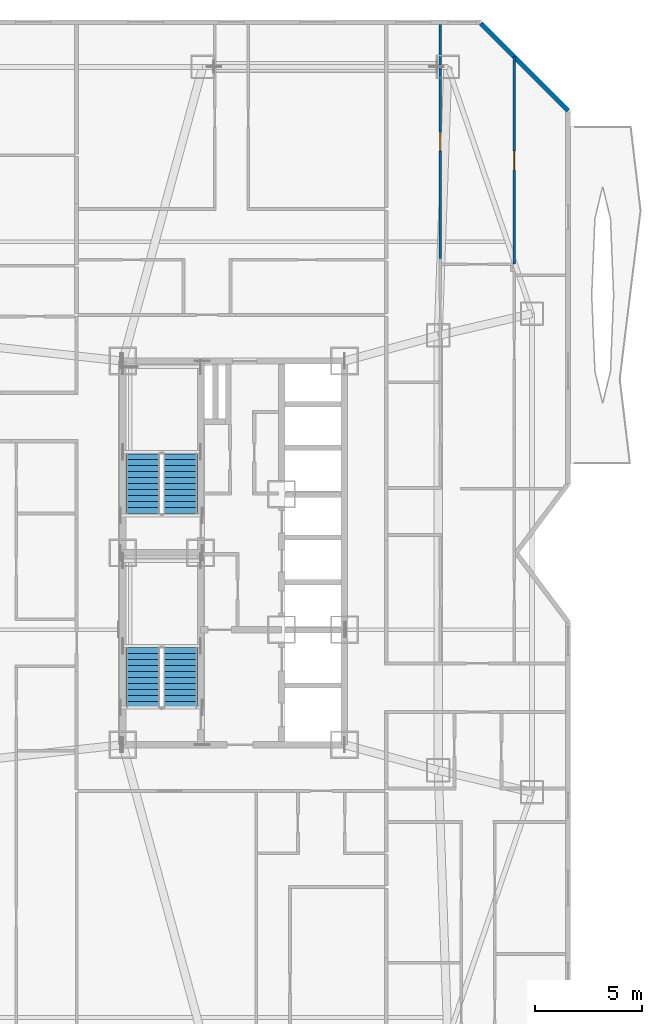
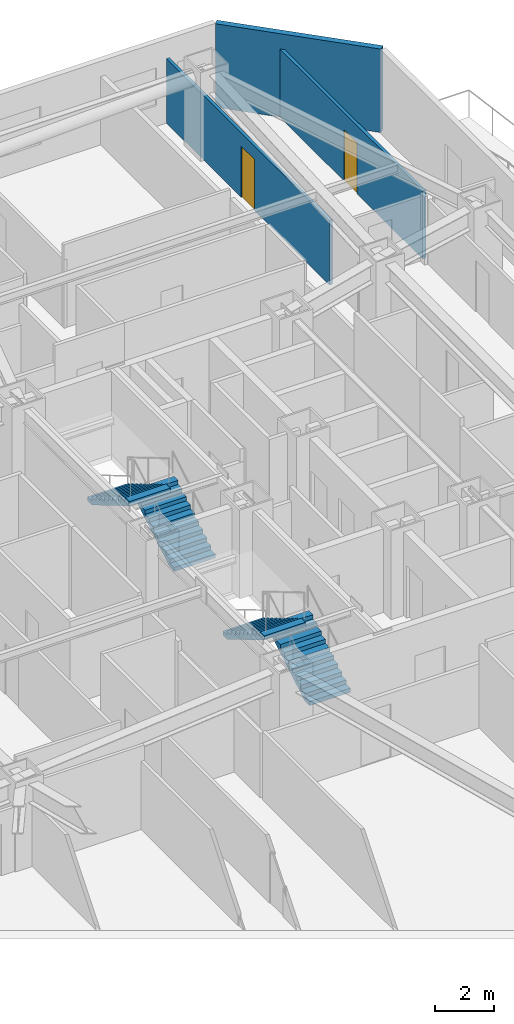
# One storey, part 14 of 16: 4 stair flights, 3 walls, 2 doors, 2 openings, 2 elements without a shape of their own.
"""IFC4 building model written with IfcOpenShell, lengths in metres."""

import ifcopenshell
import ifcopenshell.guid

model = None  # the IFC model being written
_history = None  # IfcOwnerHistory: only IFC2X3 demands one
_inside = {}  # id of a spatial element -> (the spatial element, [elements in it])
_under = {}  # id of a project, library or spatial element -> (it, [spatial elements below it])
_declared = {}  # id of a project -> (the project, [libraries it declares])
_typed = {}  # id of a type object -> (the type object, [elements of that type])
_made_of = {}  # id of a material, layer set ... -> (it, [elements and type objects made of it])


def new_model(schema):
    """Start an empty IFC model of exactly this schema.

    Asked for "IFC4X3", IfcOpenShell would pick the latest addendum, in which some entities
    have other attributes; the version numbers below select the first issue.
    IFC2X3 requires an IfcOwnerHistory on every rooted entity: one is made here for all.
    """
    global model, _history
    if schema == "IFC4X3":
        model = ifcopenshell.file(schema_version=(4, 3, 0, 0))
    else:
        model = ifcopenshell.file(schema=schema)
    _inside.clear()
    _under.clear()
    _declared.clear()
    _typed.clear()
    _made_of.clear()
    _history = None
    if model.schema == "IFC2X3":
        org = make("IfcOrganization", Name="unknown")
        user = make(
            "IfcPersonAndOrganization",
            ThePerson=make("IfcPerson", FamilyName="unknown"),
            TheOrganization=org,
        )
        app = make(
            "IfcApplication",
            ApplicationDeveloper=org,
            Version="unknown",
            ApplicationFullName="unknown",
            ApplicationIdentifier="unknown",
        )
        _history = make(
            "IfcOwnerHistory",
            OwningUser=user,
            OwningApplication=app,
            ChangeAction="ADDED",
            CreationDate=0,
        )
    return model


def make(cls, **values):
    """One entity of the class cls with the attributes given. An attribute that is None is left unset."""
    return model.create_entity(
        cls, **{name: value for name, value in values.items() if value is not None}
    )


def rooted(cls, **values):
    """An entity with a GlobalId (a new one), such as an element, a storey or a relation."""
    return make(cls, GlobalId=ifcopenshell.guid.new(), OwnerHistory=_history, **values)


def si_unit(unit_type, name, prefix=None):
    """IfcSIUnit, for example si_unit("LENGTHUNIT", "METRE", prefix="MILLI")."""
    return make("IfcSIUnit", UnitType=unit_type, Prefix=prefix, Name=name)


def assignment(units):
    """IfcUnitAssignment: the units of a project."""
    return None if units is None else make("IfcUnitAssignment", Units=units)


def point(xyz):
    """IfcCartesianPoint."""
    return None if xyz is None else make("IfcCartesianPoint", Coordinates=xyz)


def direction(xyz):
    """IfcDirection."""
    return None if xyz is None else make("IfcDirection", DirectionRatios=xyz)


def frame(location, z_axis=None, x_axis=None):
    """IfcAxis2Placement3D, a coordinate frame: its origin and axes. An axis left out is left unset."""
    return make(
        "IfcAxis2Placement3D",
        Location=point(location),
        Axis=direction(z_axis),
        RefDirection=direction(x_axis),
    )


def frame_2d(location, x_axis=None):
    """IfcAxis2Placement2D, a coordinate frame in the plane: its origin and x axis."""
    return make(
        "IfcAxis2Placement2D", Location=point(location), RefDirection=direction(x_axis)
    )


def origin():
    """The frame at (0, 0, 0) with its axes left unset."""
    return frame((0.0, 0.0, 0.0))


def place(relative_to, where):
    """IfcLocalPlacement: puts the frame where relative to a parent placement (None: the world)."""
    return make(
        "IfcLocalPlacement", PlacementRelTo=relative_to, RelativePlacement=where
    )


def context(
    kind, dimensions, precision=None, world=None, true_north=None, identifier=None
):
    """IfcGeometricRepresentationContext, for example the 3D "Model" context."""
    return make(
        "IfcGeometricRepresentationContext",
        ContextIdentifier=identifier,
        ContextType=kind,
        CoordinateSpaceDimension=dimensions,
        Precision=precision,
        WorldCoordinateSystem=world,
        TrueNorth=true_north,
    )


def subcontext(parent, identifier, kind, view, scale=None):
    """IfcGeometricRepresentationSubContext, for example "Body" below "Model"."""
    return make(
        "IfcGeometricRepresentationSubContext",
        ContextIdentifier=identifier,
        ContextType=kind,
        ParentContext=parent,
        TargetScale=scale,
        TargetView=view,
    )


def project(units=None, contexts=None):
    """IfcProject with its units and contexts."""
    return rooted(
        "IfcProject",
        Name="project",
        RepresentationContexts=contexts,
        UnitsInContext=assignment(units),
    )


def spatial(cls, under=None, at=None, **own):
    """A site, building, storey or space (cls), placed at a placement, below another one or the project."""
    s = rooted(cls, ObjectPlacement=at, **own)
    if under is not None:
        _under.setdefault(under.id(), (under, []))[1].append(s)
    return s


def polyline(points):
    """IfcPolyline through the points."""
    return make("IfcPolyline", Points=[point(p) for p in points])


def profile(cls, at=None, kind="AREA", **sizes):
    """A parametric profile (cls). Its sizes go by their IFC names, for example OverallWidth=200.0."""
    return make(cls, ProfileType=kind, Position=at, **sizes)


def rectangle(**sizes):
    """IfcRectangleProfileDef."""
    return profile("IfcRectangleProfileDef", **sizes)


def outline(outer, holes=None, kind="AREA"):
    """IfcArbitraryClosedProfileDef: a profile drawn as a closed curve; with holes, ...WithVoids."""
    if holes is None:
        return make("IfcArbitraryClosedProfileDef", ProfileType=kind, OuterCurve=outer)
    return make(
        "IfcArbitraryProfileDefWithVoids",
        ProfileType=kind,
        OuterCurve=outer,
        InnerCurves=holes,
    )


def extrude(swept, where, along, depth):
    """IfcExtrudedAreaSolid: the profile swept, set in the frame where, extruded along a direction by depth."""
    return make(
        "IfcExtrudedAreaSolid",
        SweptArea=swept,
        Position=where,
        ExtrudedDirection=direction(along),
        Depth=depth,
    )


def shape(context_of_items, identifier, shape_type, items):
    """IfcShapeRepresentation: the items that make up one representation, for example the "Body"."""
    return make(
        "IfcShapeRepresentation",
        ContextOfItems=context_of_items,
        RepresentationIdentifier=identifier,
        RepresentationType=shape_type,
        Items=items,
    )


def material(Name=None, Category=None):
    """IfcMaterial."""
    return make("IfcMaterial", Name=Name, Category=Category)


def layer(
    of_material, thickness, ventilated=None, Name=None, Category=None, Priority=None
):
    """IfcMaterialLayer: one layer of a wall or slab, of a material (None: an air gap)."""
    return make(
        "IfcMaterialLayer",
        Material=of_material,
        LayerThickness=thickness,
        IsVentilated=ventilated,
        Name=Name,
        Category=Category,
        Priority=Priority,
    )


def layer_set(layers, Name=None):
    """IfcMaterialLayerSet."""
    return make("IfcMaterialLayerSet", MaterialLayers=layers, LayerSetName=Name)


def made_of(thing, what):
    """Note that an element or type object is made of a material, layer set ...; save() writes the relation."""
    if what is not None:
        _made_of.setdefault(what.id(), (what, []))[1].append(thing)
    return thing


def type_object(cls, material=None, **own):
    """A type object (cls), such as IfcWallType, which elements share."""
    return made_of(rooted(cls, **own), material)


def element(
    cls,
    number,
    at=None,
    inside=None,
    cuts=None,
    type_object=None,
    material=None,
    context=None,
    identifier="Body",
    shape_type=None,
    held_by="IfcProductDefinitionShape",
    body=None,
    shapes=None,
    **own,
):
    """One element of the class cls, such as IfcWall. Its Tag is "e" and its number.

    at: its placement. inside: the storey or other place that contains it. cuts: it is an
    opening in that element (IfcRelVoidsElement). A single representation is given by context,
    identifier, shape_type and body (its items); several are given by shapes. held_by: the class
    of the entity that holds the representations. save() writes the other relations.
    """
    e = rooted(cls, Tag="e%d" % number, ObjectPlacement=at, **own)
    if body is not None:
        shapes = [shape(context, identifier, shape_type, body)]
    if shapes is not None:
        e.Representation = make(held_by, Representations=shapes)
    if inside is not None:
        _inside.setdefault(inside.id(), (inside, []))[1].append(e)
    if cuts is not None:
        rooted(
            "IfcRelVoidsElement", RelatingBuildingElement=cuts, RelatedOpeningElement=e
        )
    if type_object is not None:
        _typed.setdefault(type_object.id(), (type_object, []))[1].append(e)
    return made_of(e, material)


def fill(opening, filler):
    """IfcRelFillsElement: the door or window that sits in an opening."""
    return rooted(
        "IfcRelFillsElement",
        RelatingOpeningElement=opening,
        RelatedBuildingElement=filler,
    )


def aggregate(whole, parts):
    """IfcRelAggregates: a whole, such as a stair, and the parts it consists of."""
    return rooted("IfcRelAggregates", RelatingObject=whole, RelatedObjects=parts)


def save(model, path):
    """Write the relations noted so far, then the file.

    IfcRelAggregates (storeys below a building ...), IfcRelContainedInSpatialStructure (elements
    in a storey), IfcRelDefinesByType, IfcRelAssociatesMaterial and IfcRelDeclares: one each for
    every whole, place, type object, material and project.
    """
    for whole, parts in _under.values():
        aggregate(whole, parts)
    for where, things in _inside.values():
        rooted(
            "IfcRelContainedInSpatialStructure",
            RelatedElements=things,
            RelatingStructure=where,
        )
    for kind, things in _typed.values():
        rooted("IfcRelDefinesByType", RelatedObjects=things, RelatingType=kind)
    for what, things in _made_of.values():
        rooted("IfcRelAssociatesMaterial", RelatedObjects=things, RelatingMaterial=what)
    for by, libraries in _declared.values():
        rooted("IfcRelDeclares", RelatingContext=by, RelatedDefinitions=libraries)
    model.write(path)


model = new_model("IFC4")

# Units and contexts
model_context = context("Model", 3, precision=1e-05, world=origin(), true_north=direction((0.0, 1.0)))
body_context = subcontext(model_context, "Body", "Model", "MODEL_VIEW")
ifc_project = project(units=[si_unit("LENGTHUNIT", "METRE"), si_unit("AREAUNIT", "SQUARE_METRE"), si_unit("VOLUMEUNIT", "CUBIC_METRE"), si_unit("PLANEANGLEUNIT", "RADIAN"), si_unit("MASSUNIT", "GRAM", prefix="KILO")], contexts=[model_context])

# Site, building, storey
site_placement = place(None, origin())
site = spatial("IfcSite", under=ifc_project, at=site_placement, CompositionType="ELEMENT")
building_placement = place(site_placement, origin())
building = spatial("IfcBuilding", under=site, at=building_placement, Name="Khamvora Tower", CompositionType="ELEMENT")
storey_placement = place(building_placement, frame((0.0, 0.0, 66.14990234375)))
storey = spatial("IfcBuildingStorey", under=building, at=storey_placement, Name="L16", CompositionType="ELEMENT", Elevation=66.14990234375)

# Wall
ifc_material_1 = material(Name="Precast concrete C40/50", Category="concrete")
ifc_layer_1 = layer(ifc_material_1, 0.219970703125)
ifc_layer_set_1 = layer_set([ifc_layer_1], Name="Precast concrete C40/50")
wall_type_1 = type_object("IfcWallType", Name="WAL-EXT-220", PredefinedType="STANDARD", material=ifc_layer_set_1)
wall_1_placement = place(storey_placement, frame((45.802001953125, 52.842041015625, 0.0), z_axis=(0.0, 0.0, 1.0), x_axis=(0.707085666273, -0.70712789547, 0.0)))
element("IfcWall", 1, at=wall_1_placement, inside=storey, type_object=wall_type_1, Name="L16 exterior facade wall 08.1", PredefinedType="STANDARD", context=body_context, shape_type="SweptSolid", body=[
    extrude(rectangle(XDim=5.78125, YDim=0.219970703125, at=frame_2d((2.890625, 0.0))), origin(), (0.0, 0.0, 1.0), 3.43017578125),
])

# Wall, opening, door
ifc_material_2 = material(Name="Gypsum Plasterboard Partition", Category="gypsum")
ifc_layer_2 = layer(ifc_material_2, 0.1201171875)
ifc_layer_set_2 = layer_set([ifc_layer_2], Name="Gypsum Plasterboard Partition")
wall_type_2 = type_object("IfcWallType", Name="WAL-PART-120", PredefinedType="PARTITIONING", material=ifc_layer_set_2)
wall_2_placement = place(storey_placement, frame((43.89501953125, 52.7880859375, 0.0), z_axis=(0.0, 0.0, 1.0), x_axis=(0.0, -1.0, 0.0)))
wall_2 = element("IfcWall", 2, at=wall_2_placement, inside=storey, type_object=wall_type_2, Name="L16 interior partition wall 161", PredefinedType="PARTITIONING", context=body_context, shape_type="SweptSolid", body=[
    extrude(rectangle(XDim=10.988037109375, YDim=0.1201171875, at=frame_2d((5.494140625, 0.0))), origin(), (0.0, 0.0, 1.0), 2.647216796875),
])
opening_1_placement = place(wall_2_placement, frame((5.0439453125, 0.0, 0.0)))
opening_1 = element("IfcOpeningElement", 3, at=opening_1_placement, cuts=wall_2, Name="Opening D-RM1", PredefinedType="OPENING", context=body_context, shape_type="SweptSolid", body=[
    extrude(rectangle(XDim=0.89990234375, YDim=2.10009765625, at=frame_2d((0.449951171875, 1.050048828125))), frame((0.0, 0.070068359375, 0.0), z_axis=(0.0, -1.0, 0.0), x_axis=(1.0, 0.0, 0.0)), (0.0, 0.0, 1.0), 0.14013671875),
])
ifc_material_3 = material(Name="Powder-Coated Steel and Hardwood Leaf", Category="steel")
door_type = type_object("IfcDoorType", Name="DOR-ROOM-900", OperationType="NOTDEFINED", PredefinedType="DOOR", material=ifc_material_3)
door_1_placement = place(opening_1_placement, origin())
door_1 = element("IfcDoor", 4, at=door_1_placement, inside=storey, type_object=door_type, Name="L16 interior door 16EBW2-16EBD", OperationType="SINGLE_SWING_RIGHT", OverallHeight=2.10009765625, OverallWidth=0.89990234375, PredefinedType="DOOR", context=body_context, shape_type="SweptSolid", body=[
    extrude(rectangle(XDim=0.89990234375, YDim=2.10009765625, at=frame_2d((0.449951171875, 1.050048828125))), frame((0.0, 0.02490234375, 0.0), z_axis=(0.0, -1.0, 0.0), x_axis=(1.0, 0.0, 0.0)), (0.0, 0.0, 1.0), 0.050048828125),
])
fill(opening_1, door_1)

wall_3_placement = place(storey_placement, frame((47.375, 51.278076171875, 0.0), z_axis=(0.0, 0.0, 1.0), x_axis=(0.0, -1.0, 0.0)))
wall_3 = element("IfcWall", 5, at=wall_3_placement, inside=storey, type_object=wall_type_2, Name="L16 interior partition wall 171", PredefinedType="PARTITIONING", context=body_context, shape_type="SweptSolid", body=[
    extrude(rectangle(XDim=9.72705078125, YDim=0.1201171875, at=frame_2d((4.863525390625, 0.0))), origin(), (0.0, 0.0, 1.0), 2.802978515625),
])
opening_2_placement = place(wall_3_placement, frame((4.4130859375, 0.0, 0.0)))
opening_2 = element("IfcOpeningElement", 6, at=opening_2_placement, cuts=wall_3, Name="Opening D-RM1", PredefinedType="OPENING", context=body_context, shape_type="SweptSolid", body=[
    extrude(rectangle(XDim=0.89990234375, YDim=2.10009765625, at=frame_2d((0.449951171875, 1.050048828125))), frame((0.0, 0.070068359375, 0.0), z_axis=(0.0, -1.0, 0.0), x_axis=(1.0, 0.0, 0.0)), (0.0, 0.0, 1.0), 0.14013671875),
])
door_2_placement = place(opening_2_placement, origin())
door_2 = element("IfcDoor", 7, at=door_2_placement, inside=storey, type_object=door_type, Name="L16 interior door 16EBD-16EBR3", OperationType="SINGLE_SWING_RIGHT", OverallHeight=2.10009765625, OverallWidth=0.89990234375, PredefinedType="DOOR", context=body_context, shape_type="SweptSolid", body=[
    extrude(rectangle(XDim=0.89990234375, YDim=2.10009765625, at=frame_2d((0.449951171875, 1.050048828125))), frame((0.0, 0.02490234375, 0.0), z_axis=(0.0, -1.0, 0.0), x_axis=(1.0, 0.0, 0.0)), (0.0, 0.0, 1.0), 0.050048828125),
])
fill(opening_2, door_2)

# Stair, stair flights
ifc_material_4 = material(Name="Concrete C40/50", Category="concrete")
stair_type_1 = type_object("IfcStairType", Name="STR-ST-01", PredefinedType="HALF_TURN_STAIR", material=ifc_material_4)
stair_1_placement = place(storey_placement, origin())
stair_1 = element("IfcStair", 8, at=stair_1_placement, inside=storey, type_object=stair_type_1, Name="L16 South Tower Exit Stair ST-01", PredefinedType="HALF_TURN_STAIR")
stair_flight_type_1 = type_object("IfcStairFlightType", Name="STF-ST-01", PredefinedType="STRAIGHT", material=ifc_material_4)
stair_flight_1_placement = place(storey_placement, frame((31.699951171875, 20.75, 0.0), z_axis=(0.0, 0.0, 1.0), x_axis=(0.0, 1.0, 0.0)))
stair_flight_1 = element("IfcStairFlight", 9, at=stair_flight_1_placement, type_object=stair_flight_type_1, Name="ST-01 flight 1", NumberOfRisers=11, NumberOfTreads=10, PredefinedType="STRAIGHT", RiserHeight=0.165909091, TreadLength=0.28, context=body_context, shape_type="SweptSolid", body=[
    extrude(outline(polyline([(0.0, 0.0), (0.0, 0.166015625), (0.280029296875, 0.166015625), (0.280029296875, 0.331787109375), (0.56005859375, 0.331787109375), (0.56005859375, 0.497802734375), (0.840087890625, 0.497802734375), (0.840087890625, 0.66357421875), (1.1201171875, 0.66357421875), (1.1201171875, 0.82958984375), (1.39990234375, 0.82958984375), (1.39990234375, 0.995361328125), (1.679931640625, 0.995361328125), (1.679931640625, 1.161376953125), (1.9599609375, 1.161376953125), (1.9599609375, 1.327392578125), (2.239990234375, 1.327392578125), (2.239990234375, 1.4931640625), (2.52001953125, 1.4931640625), (2.52001953125, 1.6591796875), (2.800048828125, 1.6591796875), (2.800048828125, 1.824951171875), (2.800048828125, 1.48486328125), (0.2939453125, 0.0), (0.0, 0.0)])), frame((0.0, 0.800048828125, 0.0), z_axis=(0.0, -1.0, 0.0), x_axis=(1.0, 0.0, 0.0)), (0.0, 0.0, 1.0), 1.60009765625),
])
stair_flight_2_placement = place(storey_placement, frame((29.949951171875, 23.550048828125, 1.8251953125), z_axis=(0.0, 0.0, 1.0), x_axis=(0.0, -1.0, 0.0)))
stair_flight_2 = element("IfcStairFlight", 10, at=stair_flight_2_placement, type_object=stair_flight_type_1, Name="ST-01 flight 2", NumberOfRisers=11, NumberOfTreads=10, PredefinedType="STRAIGHT", RiserHeight=0.165909091, TreadLength=0.28, context=body_context, shape_type="SweptSolid", body=[
    extrude(outline(polyline([(0.0, 0.0), (0.0, 0.166015625), (0.280029296875, 0.166015625), (0.280029296875, 0.331787109375), (0.56005859375, 0.331787109375), (0.56005859375, 0.497802734375), (0.840087890625, 0.497802734375), (0.840087890625, 0.66357421875), (1.1201171875, 0.66357421875), (1.1201171875, 0.82958984375), (1.39990234375, 0.82958984375), (1.39990234375, 0.995361328125), (1.679931640625, 0.995361328125), (1.679931640625, 1.161376953125), (1.9599609375, 1.161376953125), (1.9599609375, 1.327392578125), (2.239990234375, 1.327392578125), (2.239990234375, 1.4931640625), (2.52001953125, 1.4931640625), (2.52001953125, 1.6591796875), (2.800048828125, 1.6591796875), (2.800048828125, 1.824951171875), (2.800048828125, 1.48486328125), (0.2939453125, 0.0), (0.0, 0.0)])), frame((0.0, 0.800048828125, 0.0), z_axis=(0.0, -1.0, 0.0), x_axis=(1.0, 0.0, 0.0)), (0.0, 0.0, 1.0), 1.60009765625),
])
aggregate(stair_1, [stair_flight_1, stair_flight_2])

stair_type_2 = type_object("IfcStairType", Name="STR-ST-02", PredefinedType="HALF_TURN_STAIR", material=ifc_material_4)
stair_2_placement = place(storey_placement, origin())
stair_2 = element("IfcStair", 11, at=stair_2_placement, inside=storey, type_object=stair_type_2, Name="L16 North Tower Exit Stair ST-02", PredefinedType="HALF_TURN_STAIR")
stair_flight_type_2 = type_object("IfcStairFlightType", Name="STF-ST-02", PredefinedType="STRAIGHT", material=ifc_material_4)
stair_flight_3_placement = place(storey_placement, frame((31.699951171875, 29.85009765625, 0.0), z_axis=(0.0, 0.0, 1.0), x_axis=(0.0, 1.0, 0.0)))
stair_flight_3 = element("IfcStairFlight", 12, at=stair_flight_3_placement, type_object=stair_flight_type_2, Name="ST-02 flight 1", NumberOfRisers=11, NumberOfTreads=10, PredefinedType="STRAIGHT", RiserHeight=0.165909091, TreadLength=0.28, context=body_context, shape_type="SweptSolid", body=[
    extrude(outline(polyline([(0.0, 0.0), (0.0, 0.166015625), (0.280029296875, 0.166015625), (0.280029296875, 0.331787109375), (0.56005859375, 0.331787109375), (0.56005859375, 0.497802734375), (0.840087890625, 0.497802734375), (0.840087890625, 0.66357421875), (1.1201171875, 0.66357421875), (1.1201171875, 0.82958984375), (1.39990234375, 0.82958984375), (1.39990234375, 0.995361328125), (1.679931640625, 0.995361328125), (1.679931640625, 1.161376953125), (1.9599609375, 1.161376953125), (1.9599609375, 1.327392578125), (2.239990234375, 1.327392578125), (2.239990234375, 1.4931640625), (2.52001953125, 1.4931640625), (2.52001953125, 1.6591796875), (2.800048828125, 1.6591796875), (2.800048828125, 1.824951171875), (2.800048828125, 1.48486328125), (0.2939453125, 0.0), (0.0, 0.0)])), frame((0.0, 0.800048828125, 0.0), z_axis=(0.0, -1.0, 0.0), x_axis=(1.0, 0.0, 0.0)), (0.0, 0.0, 1.0), 1.60009765625),
])
stair_flight_4_placement = place(storey_placement, frame((29.949951171875, 32.64990234375, 1.8251953125), z_axis=(0.0, 0.0, 1.0), x_axis=(0.0, -1.0, 0.0)))
stair_flight_4 = element("IfcStairFlight", 13, at=stair_flight_4_placement, type_object=stair_flight_type_2, Name="ST-02 flight 2", NumberOfRisers=11, NumberOfTreads=10, PredefinedType="STRAIGHT", RiserHeight=0.165909091, TreadLength=0.28, context=body_context, shape_type="SweptSolid", body=[
    extrude(outline(polyline([(0.0, 0.0), (0.0, 0.166015625), (0.280029296875, 0.166015625), (0.280029296875, 0.331787109375), (0.56005859375, 0.331787109375), (0.56005859375, 0.497802734375), (0.840087890625, 0.497802734375), (0.840087890625, 0.66357421875), (1.1201171875, 0.66357421875), (1.1201171875, 0.82958984375), (1.39990234375, 0.82958984375), (1.39990234375, 0.995361328125), (1.679931640625, 0.995361328125), (1.679931640625, 1.161376953125), (1.9599609375, 1.161376953125), (1.9599609375, 1.327392578125), (2.239990234375, 1.327392578125), (2.239990234375, 1.4931640625), (2.52001953125, 1.4931640625), (2.52001953125, 1.6591796875), (2.800048828125, 1.6591796875), (2.800048828125, 1.824951171875), (2.800048828125, 1.48486328125), (0.2939453125, 0.0), (0.0, 0.0)])), frame((0.0, 0.800048828125, 0.0), z_axis=(0.0, -1.0, 0.0), x_axis=(1.0, 0.0, 0.0)), (0.0, 0.0, 1.0), 1.60009765625),
])
aggregate(stair_2, [stair_flight_3, stair_flight_4])

save(model, "model.ifc")
